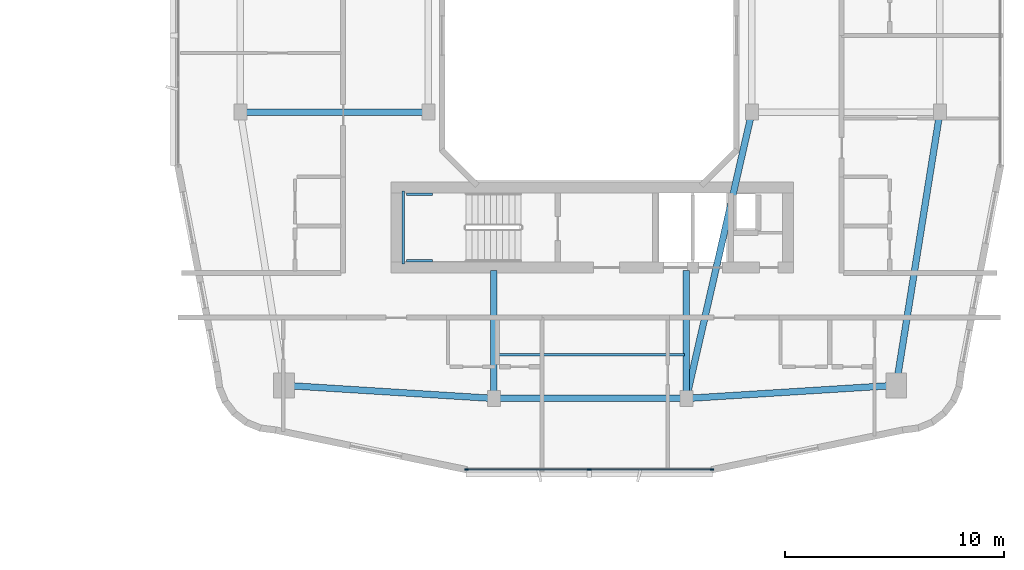
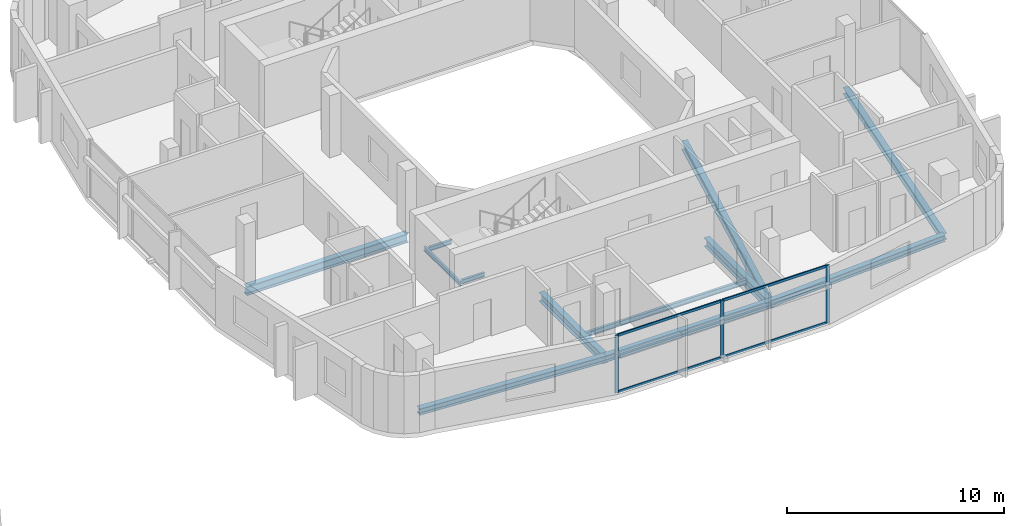
# One storey, part 8 of 27: 12 beams, 7 members, 1 element without a shape of its own.
"""IFC4 building model written with IfcOpenShell, lengths in metres."""

from ifc_helpers import new_model, si_unit, derived_unit, direction, frame, origin, origin_2d, place, context, subcontext, project, spatial, rectangle, i_section, extrude, material, layer, layer_set, material_profile, profile_set, type_object, element, aggregate, save


model = new_model("IFC4")

# Units and contexts
model_context = context("Model", 3, precision=1e-05, world=origin(), true_north=direction((0.0, 1.0)))
body_context = subcontext(model_context, "Body", "Model", "MODEL_VIEW")
ifc_project = project(units=[si_unit("LENGTHUNIT", "METRE"), si_unit("AREAUNIT", "SQUARE_METRE"), si_unit("VOLUMEUNIT", "CUBIC_METRE"), si_unit("PLANEANGLEUNIT", "RADIAN"), si_unit("MASSUNIT", "GRAM", prefix="KILO"), derived_unit("THERMALTRANSMITTANCEUNIT", [(si_unit("POWERUNIT", "WATT"), 1), (si_unit("LENGTHUNIT", "METRE"), -2), (si_unit("THERMODYNAMICTEMPERATUREUNIT", "KELVIN"), -1)])], contexts=[model_context])

# Site, building, storey
site_placement = place(None, origin())
site = spatial("IfcSite", under=ifc_project, at=site_placement, CompositionType="ELEMENT")
building_placement = place(site_placement, origin())
building = spatial("IfcBuilding", under=site, at=building_placement, Name="Kivonza Crest Hotel", CompositionType="ELEMENT")
storey_placement = place(building_placement, frame((0.0, 0.0, 73.0)))
storey = spatial("IfcBuildingStorey", under=building, at=storey_placement, Name="L19", CompositionType="ELEMENT", Elevation=73.0)

# Beams
ifc_material_1 = material(Name="Steel S355", Category="steel")
ifc_material_profile_1 = material_profile(ifc_material_1, i_section(OverallWidth=0.300048828125, OverallDepth=0.360107421875, WebThickness=0.012451171875, FlangeThickness=0.0224609375, FilletRadius=0.027099609375, at=origin_2d()), Name="HEB 360")
ifc_profile_set_1 = profile_set([ifc_material_profile_1], Name="Steel S355")
beam_type_1 = type_object("IfcBeamType", Name="BM-HEB360", PredefinedType="SPANDREL", material=ifc_profile_set_1)
beam_1_placement = place(storey_placement, frame((72.60009765625, 8.39990234375, -0.429931640625), z_axis=(1.0, 0.0, 0.0), x_axis=(0.0, 1.0, 0.0)))
element("IfcBeam", 1, at=beam_1_placement, inside=storey, type_object=beam_type_1, Name="Companion Tower T2 L19 perimeter spandrel S1-S2", PredefinedType="SPANDREL", context=body_context, shape_type="SweptSolid", body=[
    extrude(i_section(OverallWidth=0.300048828125, OverallDepth=0.360107421875, WebThickness=0.012451171875, FlangeThickness=0.0224609375, FilletRadius=0.027099609375, at=origin_2d()), origin(), (0.0, 0.0, 1.0), 8.7998046875),
])
beam_2_placement = place(storey_placement, frame((81.39990234375, 8.39990234375, -0.429931640625), z_axis=(0.998051985873, 0.062387767186, 0.0), x_axis=(-0.062387767186, 0.998051985873, 0.0)))
element("IfcBeam", 2, at=beam_2_placement, inside=storey, type_object=beam_type_1, Name="Companion Tower T2 L19 perimeter spandrel S2-SE", PredefinedType="SPANDREL", context=body_context, shape_type="SweptSolid", body=[
    extrude(i_section(OverallWidth=0.300048828125, OverallDepth=0.360107421875, WebThickness=0.012451171875, FlangeThickness=0.0224609375, FilletRadius=0.027099609375, at=origin_2d()), origin(), (0.0, 0.0, 1.0), 9.618896484375),
])
beam_3_placement = place(storey_placement, frame((91.0, 9.0, -0.429931640625), z_axis=(0.157990501107, 0.987440631917, 0.0), x_axis=(-0.987440631917, 0.157990501107, 0.0)))
element("IfcBeam", 3, at=beam_3_placement, inside=storey, type_object=beam_type_1, Name="Companion Tower T2 L19 perimeter spandrel SE-E1", PredefinedType="SPANDREL", context=body_context, shape_type="SweptSolid", body=[
    extrude(i_section(OverallWidth=0.300048828125, OverallDepth=0.360107421875, WebThickness=0.012451171875, FlangeThickness=0.0224609375, FilletRadius=0.027099609375, at=origin_2d()), origin(), (0.0, 0.0, 1.0), 12.658935546875),
])
beam_4_placement = place(storey_placement, frame((63.0, 9.0, -0.429931640625), z_axis=(0.998051985873, -0.062387767186, 0.0), x_axis=(0.062387767186, 0.998051985873, 0.0)))
element("IfcBeam", 4, at=beam_4_placement, inside=storey, type_object=beam_type_1, Name="Companion Tower T2 L19 perimeter spandrel SW-S1", PredefinedType="SPANDREL", context=body_context, shape_type="SweptSolid", body=[
    extrude(i_section(OverallWidth=0.300048828125, OverallDepth=0.360107421875, WebThickness=0.012451171875, FlangeThickness=0.0224609375, FilletRadius=0.027099609375, at=origin_2d()), origin(), (0.0, 0.0, 1.0), 9.618896484375),
])
ifc_material_profile_2 = material_profile(ifc_material_1, i_section(OverallWidth=0.300048828125, OverallDepth=0.5, WebThickness=0.014404296875, FlangeThickness=0.028076171875, FilletRadius=0.027099609375, at=origin_2d()), Name="HEB 500")
ifc_profile_set_2 = profile_set([ifc_material_profile_2], Name="Steel S355")
beam_type_2 = type_object("IfcBeamType", Name="BM-HEB500", PredefinedType="BEAM", material=ifc_profile_set_2)
beam_5_placement = place(storey_placement, frame((61.0, 21.5, -0.5), z_axis=(1.0, 0.0, 0.0), x_axis=(0.0, 1.0, 0.0)))
element("IfcBeam", 5, at=beam_5_placement, inside=storey, type_object=beam_type_2, Name="Companion Tower T2 L19 girder W1-WL1", PredefinedType="BEAM", context=body_context, shape_type="SweptSolid", body=[
    extrude(i_section(OverallWidth=0.300048828125, OverallDepth=0.5, WebThickness=0.014404296875, FlangeThickness=0.028076171875, FilletRadius=0.027099609375, at=origin_2d()), origin(), (0.0, 0.0, 1.0), 8.60009765625),
])
beam_6_placement = place(storey_placement, frame((84.39990234375, 21.5, -0.5), z_axis=(-0.223227287589, -0.974766422317, 0.0), x_axis=(0.974766422317, -0.223227287589, 0.0)))
element("IfcBeam", 6, at=beam_6_placement, inside=storey, type_object=beam_type_2, Name="Companion Tower T2 L19 girder WR1-S2", PredefinedType="BEAM", context=body_context, shape_type="SweptSolid", body=[
    extrude(i_section(OverallWidth=0.300048828125, OverallDepth=0.5, WebThickness=0.014404296875, FlangeThickness=0.028076171875, FilletRadius=0.027099609375, at=origin_2d()), origin(), (0.0, 0.0, 1.0), 13.439208984375),
])
for number, where, z_axis, x_axis, name in (
    (7, (72.60009765625, 8.39990234375, -0.5), (0.0, 1.0, 0.0), (-1.0, 0.0, 0.0), "Companion T2 L19 radial core girder RS1"),
    (8, (81.39990234375, 8.39990234375, -0.5), (0.0, 1.0, 0.0), (-1.0, 0.0, 0.0), "Companion T2 L19 radial core girder RS2"),
):
    element("IfcBeam", number, at=place(storey_placement, frame(where, z_axis=z_axis, x_axis=x_axis)), inside=storey, type_object=beam_type_2, Name=name, PredefinedType="BEAM", context=body_context, shape_type="SweptSolid", body=[
        extrude(i_section(OverallWidth=0.300048828125, OverallDepth=0.5, WebThickness=0.014404296875, FlangeThickness=0.028076171875, FilletRadius=0.027099609375, at=origin_2d()), origin(), (0.0, 0.0, 1.0), 5.85009765625),
    ])
ifc_material_profile_3 = material_profile(ifc_material_1, i_section(OverallWidth=0.135009765625, OverallDepth=0.27001953125, WebThickness=0.006591796875, FlangeThickness=0.01025390625, FilletRadius=0.014892578125, at=origin_2d()), Name="IPE 270")
ifc_profile_set_3 = profile_set([ifc_material_profile_3], Name="Steel S355")
beam_type_3 = type_object("IfcBeamType", Name="BM-IPE270", PredefinedType="JOIST", material=ifc_profile_set_3)
beam_7_placement = place(storey_placement, frame((72.679931640625, 10.39990234375, -0.385009765625), z_axis=(1.0, 0.0, 0.0), x_axis=(0.0, 1.0, 0.0)))
element("IfcBeam", 9, at=beam_7_placement, inside=storey, type_object=beam_type_3, Name="Companion Tower T2 L19 South floor joist", PredefinedType="JOIST", context=body_context, shape_type="SweptSolid", body=[
    extrude(i_section(OverallWidth=0.135009765625, OverallDepth=0.27001953125, WebThickness=0.006591796875, FlangeThickness=0.01025390625, FilletRadius=0.014892578125, at=origin_2d()), origin(), (0.0, 0.0, 1.0), 8.64013671875),
])
ifc_material_profile_4 = material_profile(ifc_material_1, i_section(OverallWidth=0.1201171875, OverallDepth=0.239990234375, WebThickness=0.006103515625, FlangeThickness=0.009765625, FilletRadius=0.014892578125, at=origin_2d()), Name="IPE 240")
ifc_profile_set_4 = profile_set([ifc_material_profile_4], Name="Steel S355")
beam_type_4 = type_object("IfcBeamType", Name="BM-LLDG-240", PredefinedType="BEAM", material=ifc_profile_set_4)
beam_8_placement = place(storey_placement, frame((68.4599609375, 14.5400390625, 1.429931640625), z_axis=(0.0, 1.0, 0.0), x_axis=(-1.0, 0.0, 0.0)))
element("IfcBeam", 10, at=beam_8_placement, inside=storey, type_object=beam_type_4, Name="Stair ST-T2-S L19 West landing corbel", PredefinedType="BEAM", context=body_context, shape_type="SweptSolid", body=[
    extrude(i_section(OverallWidth=0.1201171875, OverallDepth=0.239990234375, WebThickness=0.006103515625, FlangeThickness=0.009765625, FilletRadius=0.014892578125, at=origin_2d()), origin(), (0.0, 0.0, 1.0), 3.35986328125),
])
for number, where, z_axis, x_axis, name in (
    (11, (68.590087890625, 14.699951171875, 1.429931640625), (1.0, 0.0, 0.0), (0.0, 1.0, 0.0), "Stair ST-T2-S L19 South landing corbel"),
    (12, (68.590087890625, 17.739990234375, 1.429931640625), (1.0, 0.0, 0.0), (0.0, 1.0, 0.0), "Stair ST-T2-S L19 North landing corbel"),
):
    element("IfcBeam", number, at=place(storey_placement, frame(where, z_axis=z_axis, x_axis=x_axis)), inside=storey, type_object=beam_type_4, Name=name, PredefinedType="BEAM", context=body_context, shape_type="SweptSolid", body=[
        extrude(i_section(OverallWidth=0.1201171875, OverallDepth=0.239990234375, WebThickness=0.006103515625, FlangeThickness=0.009765625, FilletRadius=0.014892578125, at=origin_2d()), origin(), (0.0, 0.0, 1.0), 1.2099609375),
    ])

# Curtain wall, members
ifc_material_2 = material(Name="Anodised bronze aluminium and low-E double glazing", Category="aluminium")
ifc_layer = layer(ifc_material_2, 0.179931640625)
ifc_layer_set = layer_set([ifc_layer], Name="Anodised bronze aluminium and low-E double glazing")
curtain_wall_type = type_object("IfcCurtainWallType", Name="CW-SYS-4", PredefinedType="NOTDEFINED", material=ifc_layer_set)
curtain_wall_placement = place(storey_placement, origin())
curtain_wall = element("IfcCurtainWall", 13, at=curtain_wall_placement, inside=storey, type_object=curtain_wall_type, Name="L19 unitised curtain wall CW-T2-L19-08", PredefinedType="NOTDEFINED")
ifc_material_3 = material(Name="Anodised bronze aluminium", Category="aluminium")
ifc_material_profile_5 = material_profile(ifc_material_3, rectangle(XDim=0.06494140625, YDim=0.179931640625, at=origin_2d()), Name="CW-M 65x180")
ifc_profile_set_5 = profile_set([ifc_material_profile_5], Name="Anodised bronze aluminium")
member_type_1 = type_object("IfcMemberType", Name="CW-MUL-65x180", PredefinedType="MULLION", material=ifc_profile_set_5)
member_1_placement = place(storey_placement, frame((71.344482421875, 5.159912109375, 0.0), z_axis=(0.0, 0.0, 1.0), x_axis=(0.0, 1.0, 0.0)))
member_1 = element("IfcMember", 14, at=member_1_placement, type_object=member_type_1, Name="CW-4 mullion 1", PredefinedType="MULLION", context=body_context, shape_type="SweptSolid", body=[
    extrude(rectangle(XDim=0.06494140625, YDim=0.179931640625, at=origin_2d()), origin(), (0.0, 0.0, 1.0), 3.25),
])
member_2_placement = place(storey_placement, frame((76.9599609375, 5.159912109375, 0.0), z_axis=(0.0, 0.0, 1.0), x_axis=(0.0, 1.0, 0.0)))
member_2 = element("IfcMember", 15, at=member_2_placement, type_object=member_type_1, Name="CW-4 mullion 2", PredefinedType="MULLION", context=body_context, shape_type="SweptSolid", body=[
    extrude(rectangle(XDim=0.06494140625, YDim=0.179931640625, at=origin_2d()), origin(), (0.0, 0.0, 1.0), 3.25),
])
member_3_placement = place(storey_placement, frame((82.575439453125, 5.159912109375, 0.0), z_axis=(0.0, 0.0, 1.0), x_axis=(0.0, 1.0, 0.0)))
member_3 = element("IfcMember", 16, at=member_3_placement, type_object=member_type_1, Name="CW-4 mullion 3", PredefinedType="MULLION", context=body_context, shape_type="SweptSolid", body=[
    extrude(rectangle(XDim=0.06494140625, YDim=0.179931640625, at=origin_2d()), origin(), (0.0, 0.0, 1.0), 3.25),
])
ifc_material_profile_6 = material_profile(ifc_material_3, rectangle(XDim=0.06494140625, YDim=0.139892578125, at=origin_2d()), Name="CW-T 65x140")
ifc_profile_set_6 = profile_set([ifc_material_profile_6], Name="Anodised bronze aluminium")
member_type_2 = type_object("IfcMemberType", Name="CW-TRN-65x140", PredefinedType="USERDEFINED", material=ifc_profile_set_6)
member_4_placement = place(storey_placement, frame((71.376953125, 5.159912109375, 0.032470703125), z_axis=(1.0, 0.0, 0.0), x_axis=(0.0, 1.0, 0.0)))
member_4 = element("IfcMember", 17, at=member_4_placement, type_object=member_type_2, Name="CW-4 transom 1.1", ObjectType="TRANSOM", PredefinedType="USERDEFINED", context=body_context, shape_type="SweptSolid", body=[
    extrude(rectangle(XDim=0.06494140625, YDim=0.139892578125, at=origin_2d()), origin(), (0.0, 0.0, 1.0), 5.550537109375),
])
member_5_placement = place(storey_placement, frame((71.376953125, 5.159912109375, 3.217529296875), z_axis=(1.0, 0.0, 0.0), x_axis=(0.0, 1.0, 0.0)))
member_5 = element("IfcMember", 18, at=member_5_placement, type_object=member_type_2, Name="CW-4 transom 1.2", ObjectType="TRANSOM", PredefinedType="USERDEFINED", context=body_context, shape_type="SweptSolid", body=[
    extrude(rectangle(XDim=0.06494140625, YDim=0.139892578125, at=origin_2d()), origin(), (0.0, 0.0, 1.0), 5.550537109375),
])
member_6_placement = place(storey_placement, frame((76.992431640625, 5.159912109375, 0.032470703125), z_axis=(1.0, 0.0, 0.0), x_axis=(0.0, 1.0, 0.0)))
member_6 = element("IfcMember", 19, at=member_6_placement, type_object=member_type_2, Name="CW-4 transom 2.1", ObjectType="TRANSOM", PredefinedType="USERDEFINED", context=body_context, shape_type="SweptSolid", body=[
    extrude(rectangle(XDim=0.06494140625, YDim=0.139892578125, at=origin_2d()), origin(), (0.0, 0.0, 1.0), 5.550537109375),
])
member_7_placement = place(storey_placement, frame((76.992431640625, 5.159912109375, 3.217529296875), z_axis=(1.0, 0.0, 0.0), x_axis=(0.0, 1.0, 0.0)))
member_7 = element("IfcMember", 20, at=member_7_placement, type_object=member_type_2, Name="CW-4 transom 2.2", ObjectType="TRANSOM", PredefinedType="USERDEFINED", context=body_context, shape_type="SweptSolid", body=[
    extrude(rectangle(XDim=0.06494140625, YDim=0.139892578125, at=origin_2d()), origin(), (0.0, 0.0, 1.0), 5.550537109375),
])
aggregate(curtain_wall, [member_1, member_2, member_3, member_4, member_5, member_6, member_7])

save(model, "model.ifc")
